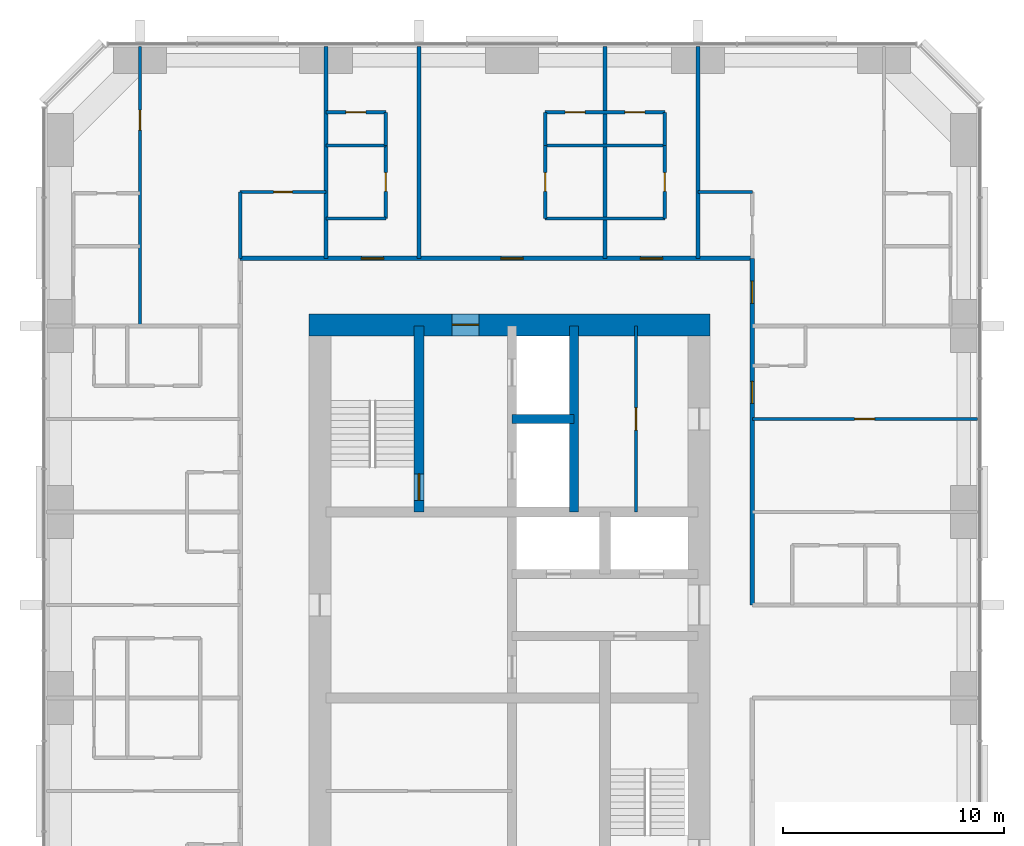
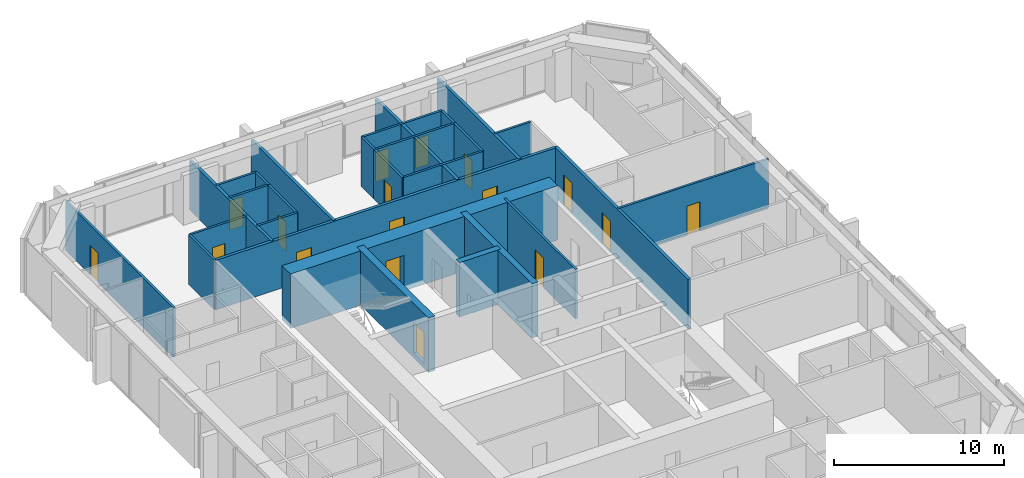
# One storey, part 10 of 12: 28 walls, 17 doors, 17 openings.
"""IFC4 building model written with IfcOpenShell, lengths in metres."""

from ifc_helpers import new_model, si_unit, direction, frame, frame_2d, origin, place, context, subcontext, project, spatial, rectangle, extrude, material, layer, layer_set, type_object, element, fill, save


model = new_model("IFC4")

# Units and contexts
model_context = context("Model", 3, precision=1e-05, world=origin(), true_north=direction((0.0, 1.0)))
body_context = subcontext(model_context, "Body", "Model", "MODEL_VIEW")
ifc_project = project(units=[si_unit("LENGTHUNIT", "METRE"), si_unit("AREAUNIT", "SQUARE_METRE"), si_unit("VOLUMEUNIT", "CUBIC_METRE"), si_unit("PLANEANGLEUNIT", "RADIAN"), si_unit("MASSUNIT", "GRAM", prefix="KILO")], contexts=[model_context])

# Site, building, storey
site_placement = place(None, origin())
site = spatial("IfcSite", under=ifc_project, at=site_placement, CompositionType="ELEMENT")
building_placement = place(site_placement, origin())
building = spatial("IfcBuilding", under=site, at=building_placement, Name="Dunama Terrace Hotel", CompositionType="ELEMENT")
storey_placement = place(building_placement, frame((0.0, 0.0, 229.5)))
storey = spatial("IfcBuildingStorey", under=building, at=storey_placement, Name="L59", CompositionType="ELEMENT", Elevation=229.5)

# Wall
ifc_material_1 = material(Name="Gypsum board partition", Category="masonry")
ifc_layer_1 = layer(ifc_material_1, 0.14990234375)
ifc_layer_set_1 = layer_set([ifc_layer_1], Name="Bathroom partition 150")
wall_type_1 = type_object("IfcWallType", Name="Bathroom partition 150", PredefinedType="PARTITIONING", material=ifc_layer_set_1)
wall_1_placement = place(storey_placement, frame((21.324951171875, 45.050048828125, 0.0), z_axis=(0.0, 0.0, 1.0), x_axis=(0.0, 1.0, 0.0)))
element("IfcWall", 1, at=wall_1_placement, inside=storey, type_object=wall_type_1, Name="Bathroom partition 150 L59", PredefinedType="PARTITIONING", context=body_context, shape_type="SweptSolid", body=[
    extrude(rectangle(XDim=3.0, YDim=0.14990234375, at=frame_2d((1.5, 0.0))), origin(), (0.0, 0.0, 1.0), 3.550048828125),
])

# Wall, opening, door
wall_2_placement = place(storey_placement, frame((27.89990234375, 46.85009765625, 0.0), z_axis=(0.0, 0.0, 1.0), x_axis=(0.0, 1.0, 0.0)))
wall_2 = element("IfcWall", 2, at=wall_2_placement, inside=storey, type_object=wall_type_1, Name="Bathroom partition 150 L59", PredefinedType="PARTITIONING", context=body_context, shape_type="SweptSolid", body=[
    extrude(rectangle(XDim=3.2998046875, YDim=0.14990234375, at=frame_2d((1.64990234375, 0.0))), origin(), (0.0, 0.0, 1.0), 3.550048828125),
])
opening_1_placement = place(wall_2_placement, frame((1.22509765625, 0.0, 0.0)))
opening_1 = element("IfcOpeningElement", 3, at=opening_1_placement, cuts=wall_2, Name="Opening L59-023", PredefinedType="OPENING", context=body_context, shape_type="SweptSolid", body=[
    extrude(rectangle(XDim=0.85009765625, YDim=2.10009765625, at=frame_2d((0.425048828125, 1.050048828125))), frame((0.0, 0.0849609375, 0.0), z_axis=(0.0, -1.0, 0.0), x_axis=(1.0, 0.0, 0.0)), (0.0, 0.0, 1.0), 0.169921875),
])
ifc_material_2 = material(Name="Timber door with steel frame", Category="steel")
door_type_1 = type_object("IfcDoorType", Name="Bathroom door 850", OperationType="SINGLE_SWING_LEFT", PredefinedType="DOOR", material=ifc_material_2)
door_1_placement = place(opening_1_placement, origin())
door_1 = element("IfcDoor", 4, at=door_1_placement, inside=storey, type_object=door_type_1, Name="Door to en-suite bathroom L59-023, type D2", OperationType="SINGLE_SWING_RIGHT", OverallHeight=2.10009765625, OverallWidth=0.85009765625, PredefinedType="DOOR", context=body_context, shape_type="SweptSolid", body=[
    extrude(rectangle(XDim=0.85009765625, YDim=2.10009765625, at=frame_2d((0.425048828125, 1.050048828125))), frame((0.0, 0.02490234375, 0.0), z_axis=(0.0, -1.0, 0.0), x_axis=(1.0, 0.0, 0.0)), (0.0, 0.0, 1.0), 0.050048828125),
])
fill(opening_1, door_1)

wall_3_placement = place(storey_placement, frame((35.10009765625, 46.85009765625, 0.0), z_axis=(0.0, 0.0, 1.0), x_axis=(0.0, 1.0, 0.0)))
wall_3 = element("IfcWall", 5, at=wall_3_placement, inside=storey, type_object=wall_type_1, Name="Bathroom partition 150 L59", PredefinedType="PARTITIONING", context=body_context, shape_type="SweptSolid", body=[
    extrude(rectangle(XDim=3.2998046875, YDim=0.14990234375, at=frame_2d((1.64990234375, 0.0))), origin(), (0.0, 0.0, 1.0), 3.550048828125),
])
opening_2_placement = place(wall_3_placement, frame((1.22509765625, 0.0, 0.0)))
opening_2 = element("IfcOpeningElement", 6, at=opening_2_placement, cuts=wall_3, Name="Opening L59-026", PredefinedType="OPENING", context=body_context, shape_type="SweptSolid", body=[
    extrude(rectangle(XDim=0.85009765625, YDim=2.10009765625, at=frame_2d((0.425048828125, 1.050048828125))), frame((0.0, 0.0849609375, 0.0), z_axis=(0.0, -1.0, 0.0), x_axis=(1.0, 0.0, 0.0)), (0.0, 0.0, 1.0), 0.169921875),
])
door_2_placement = place(opening_2_placement, frame((0.85009765625, 0.0, 0.0), z_axis=(0.0, 0.0, 1.0), x_axis=(-1.0, 0.0, 0.0)))
door_2 = element("IfcDoor", 7, at=door_2_placement, inside=storey, type_object=door_type_1, Name="Door to en-suite bathroom L59-026, type D2", OperationType="SINGLE_SWING_LEFT", OverallHeight=2.10009765625, OverallWidth=0.85009765625, PredefinedType="DOOR", context=body_context, shape_type="SweptSolid", body=[
    extrude(rectangle(XDim=0.85009765625, YDim=2.10009765625, at=frame_2d((0.425048828125, 1.050048828125))), frame((0.0, 0.025146484375, 0.0), z_axis=(0.0, -1.0, 0.0), x_axis=(1.0, 0.0, 0.0)), (0.0, 0.0, 1.0), 0.050048828125),
])
fill(opening_2, door_2)

wall_4_placement = place(storey_placement, frame((40.5, 46.85009765625, 0.0), z_axis=(0.0, 0.0, 1.0), x_axis=(0.0, 1.0, 0.0)))
wall_4 = element("IfcWall", 8, at=wall_4_placement, inside=storey, type_object=wall_type_1, Name="Bathroom partition 150 L59", PredefinedType="PARTITIONING", context=body_context, shape_type="SweptSolid", body=[
    extrude(rectangle(XDim=3.2998046875, YDim=0.14990234375, at=frame_2d((1.64990234375, 0.0))), origin(), (0.0, 0.0, 1.0), 3.550048828125),
])
opening_3_placement = place(wall_4_placement, frame((1.22509765625, 0.0, 0.0)))
opening_3 = element("IfcOpeningElement", 9, at=opening_3_placement, cuts=wall_4, Name="Opening L59-029", PredefinedType="OPENING", context=body_context, shape_type="SweptSolid", body=[
    extrude(rectangle(XDim=0.85009765625, YDim=2.10009765625, at=frame_2d((0.425048828125, 1.050048828125))), frame((0.0, 0.0849609375, 0.0), z_axis=(0.0, -1.0, 0.0), x_axis=(1.0, 0.0, 0.0)), (0.0, 0.0, 1.0), 0.169921875),
])
door_3_placement = place(opening_3_placement, origin())
door_3 = element("IfcDoor", 10, at=door_3_placement, inside=storey, type_object=door_type_1, Name="Door to en-suite bathroom L59-029, type D2", OperationType="SINGLE_SWING_RIGHT", OverallHeight=2.10009765625, OverallWidth=0.85009765625, PredefinedType="DOOR", context=body_context, shape_type="SweptSolid", body=[
    extrude(rectangle(XDim=0.85009765625, YDim=2.10009765625, at=frame_2d((0.425048828125, 1.050048828125))), frame((0.0, 0.02490234375, 0.0), z_axis=(0.0, -1.0, 0.0), x_axis=(1.0, 0.0, 0.0)), (0.0, 0.0, 1.0), 0.050048828125),
])
fill(opening_3, door_3)

# Walls
wall_5_placement = place(storey_placement, frame((25.199951171875, 46.85009765625, 0.0), z_axis=(0.0, 0.0, 1.0), x_axis=(1.0, 0.0, 0.0)))
element("IfcWall", 11, at=wall_5_placement, inside=storey, type_object=wall_type_1, Name="Bathroom partition 150 L59", PredefinedType="PARTITIONING", context=body_context, shape_type="SweptSolid", body=[
    extrude(rectangle(XDim=2.699951171875, YDim=0.14990234375, at=frame_2d((1.35009765625, 0.0))), origin(), (0.0, 0.0, 1.0), 3.550048828125),
])
wall_6_placement = place(storey_placement, frame((35.10009765625, 46.85009765625, 0.0), z_axis=(0.0, 0.0, 1.0), x_axis=(1.0, 0.0, 0.0)))
element("IfcWall", 12, at=wall_6_placement, inside=storey, type_object=wall_type_1, Name="Bathroom partition 150 L59", PredefinedType="PARTITIONING", context=body_context, shape_type="SweptSolid", body=[
    extrude(rectangle(XDim=5.39990234375, YDim=0.14990234375, at=frame_2d((2.699951171875, 0.0))), origin(), (0.0, 0.0, 1.0), 3.550048828125),
])

# Wall, opening, door
wall_7_placement = place(storey_placement, frame((21.324951171875, 48.050048828125, 0.0), z_axis=(0.0, 0.0, 1.0), x_axis=(1.0, 0.0, 0.0)))
wall_7 = element("IfcWall", 13, at=wall_7_placement, inside=storey, type_object=wall_type_1, Name="Bathroom partition 150 L59", PredefinedType="PARTITIONING", context=body_context, shape_type="SweptSolid", body=[
    extrude(rectangle(XDim=3.875, YDim=0.14990234375, at=frame_2d((1.9375, 0.0))), origin(), (0.0, 0.0, 1.0), 3.550048828125),
])
opening_4_placement = place(wall_7_placement, frame((1.511962890625, 0.0, 0.0)))
opening_4 = element("IfcOpeningElement", 14, at=opening_4_placement, cuts=wall_7, Name="Opening L59-062", PredefinedType="OPENING", context=body_context, shape_type="SweptSolid", body=[
    extrude(rectangle(XDim=0.85009765625, YDim=2.10009765625, at=frame_2d((0.425048828125, 1.050048828125))), frame((0.0, 0.0849609375, 0.0), z_axis=(0.0, -1.0, 0.0), x_axis=(1.0, 0.0, 0.0)), (0.0, 0.0, 1.0), 0.169921875),
])
door_4_placement = place(opening_4_placement, frame((0.85009765625, 0.0, 0.0), z_axis=(0.0, 0.0, 1.0), x_axis=(-1.0, 0.0, 0.0)))
door_4 = element("IfcDoor", 15, at=door_4_placement, inside=storey, type_object=door_type_1, Name="Door to powder room L59-062, type D2", OperationType="SINGLE_SWING_LEFT", OverallHeight=2.10009765625, OverallWidth=0.85009765625, PredefinedType="DOOR", context=body_context, shape_type="SweptSolid", body=[
    extrude(rectangle(XDim=0.85009765625, YDim=2.10009765625, at=frame_2d((0.425048828125, 1.050048828125))), frame((0.0, 0.025146484375, 0.0), z_axis=(0.0, -1.0, 0.0), x_axis=(1.0, 0.0, 0.0)), (0.0, 0.0, 1.0), 0.050048828125),
])
fill(opening_4, door_4)

# Walls
wall_8_placement = place(storey_placement, frame((42.0, 48.050048828125, 0.0), z_axis=(0.0, 0.0, 1.0), x_axis=(1.0, 0.0, 0.0)))
element("IfcWall", 16, at=wall_8_placement, inside=storey, type_object=wall_type_1, Name="Bathroom partition 150 L59", PredefinedType="PARTITIONING", context=body_context, shape_type="SweptSolid", body=[
    extrude(rectangle(XDim=2.449951171875, YDim=0.14990234375, at=frame_2d((1.22509765625, 0.0))), origin(), (0.0, 0.0, 1.0), 3.550048828125),
])
ifc_material_3 = material(Name="Concrete C50/60", Category="concrete")
ifc_layer_2 = layer(ifc_material_3, 0.39990234375)
ifc_layer_set_2 = layer_set([ifc_layer_2], Name="Core inner wall 400")
wall_type_2 = type_object("IfcWallType", Name="Core inner wall 400", PredefinedType="SHEAR", material=ifc_layer_set_2)
wall_9_placement = place(storey_placement, frame((36.39990234375, 33.60009765625, -0.35009765625), z_axis=(0.0, 0.0, 1.0), x_axis=(0.0, 1.0, 0.0)))
element("IfcWall", 17, at=wall_9_placement, inside=storey, type_object=wall_type_2, Name="Core inner wall 400 L59", PredefinedType="SHEAR", context=body_context, shape_type="SweptSolid", body=[
    extrude(rectangle(XDim=8.39990234375, YDim=0.39990234375, at=frame_2d((4.199951171875, 0.0))), origin(), (0.0, 0.0, 1.0), 3.900146484375),
])
wall_10_placement = place(storey_placement, frame((33.60009765625, 37.800048828125, -0.35009765625), z_axis=(0.0, 0.0, 1.0), x_axis=(1.0, 0.0, 0.0)))
element("IfcWall", 18, at=wall_10_placement, inside=storey, type_object=wall_type_2, Name="Core inner wall 400 L59", PredefinedType="SHEAR", context=body_context, shape_type="SweptSolid", body=[
    extrude(rectangle(XDim=2.7998046875, YDim=0.39990234375, at=frame_2d((1.39990234375, 0.0))), origin(), (0.0, 0.0, 1.0), 3.900146484375),
])

# Wall, opening, door
ifc_material_4 = material(Name="Concrete C50/60", Category="concrete")
ifc_layer_3 = layer(ifc_material_4, 0.449951171875)
ifc_layer_set_3 = layer_set([ifc_layer_3], Name="Core inner wall 450")
wall_type_3 = type_object("IfcWallType", Name="Core inner wall 450", PredefinedType="SHEAR", material=ifc_layer_set_3)
wall_11_placement = place(storey_placement, frame((29.39990234375, 33.60009765625, -0.35009765625), z_axis=(0.0, 0.0, 1.0), x_axis=(0.0, 1.0, 0.0)))
wall_11 = element("IfcWall", 19, at=wall_11_placement, inside=storey, type_object=wall_type_3, Name="Core inner wall 450 L59", PredefinedType="SHEAR", context=body_context, shape_type="SweptSolid", body=[
    extrude(rectangle(XDim=8.39990234375, YDim=0.449951171875, at=frame_2d((4.199951171875, 0.0))), origin(), (0.0, 0.0, 1.0), 3.900146484375),
])
opening_5_placement = place(wall_11_placement, frame((0.52490234375, 0.0, 0.35009765625)))
opening_5 = element("IfcOpeningElement", 20, at=opening_5_placement, cuts=wall_11, Name="Opening L59-001", PredefinedType="OPENING", context=body_context, shape_type="SweptSolid", body=[
    extrude(rectangle(XDim=1.199951171875, YDim=2.199951171875, at=frame_2d((0.60009765625, 1.10009765625))), frame((0.0, 0.23486328125, 0.0), z_axis=(0.0, -1.0, 0.0), x_axis=(1.0, 0.0, 0.0)), (0.0, 0.0, 1.0), 0.469970703125),
])
ifc_material_5 = material(Name="Timber door with steel frame", Category="steel")
door_type_2 = type_object("IfcDoorType", Name="Stair door 1200", OperationType="SINGLE_SWING_LEFT", PredefinedType="DOOR", material=ifc_material_5)
door_5_placement = place(opening_5_placement, origin())
door_5 = element("IfcDoor", 21, at=door_5_placement, inside=storey, type_object=door_type_2, Name="Stair door ST1 L59-001, type D5", OperationType="SINGLE_SWING_LEFT", OverallHeight=2.199951171875, OverallWidth=1.199951171875, PredefinedType="DOOR", context=body_context, shape_type="SweptSolid", body=[
    extrude(rectangle(XDim=1.199951171875, YDim=2.199951171875, at=frame_2d((0.60009765625, 1.10009765625))), frame((0.0, 0.02490234375, 0.0), z_axis=(0.0, -1.0, 0.0), x_axis=(1.0, 0.0, 0.0)), (0.0, 0.0, 1.0), 0.050048828125),
])
fill(opening_5, door_5)

ifc_material_6 = material(Name="Concrete C60/75", Category="concrete")
ifc_layer_4 = layer(ifc_material_6, 1.0)
ifc_layer_set_4 = layer_set([ifc_layer_4], Name="Core wall 1000")
wall_type_4 = type_object("IfcWallType", Name="Core wall 1000", PredefinedType="SHEAR", material=ifc_layer_set_4)
wall_12_placement = place(storey_placement, frame((42.550048828125, 42.050048828125, -0.35009765625), z_axis=(0.0, 0.0, 1.0), x_axis=(-1.0, 0.0, 0.0)))
wall_12 = element("IfcWall", 22, at=wall_12_placement, inside=storey, type_object=wall_type_4, Name="Core wall north L59", PredefinedType="SHEAR", context=body_context, shape_type="SweptSolid", body=[
    extrude(rectangle(XDim=18.125, YDim=1.0, at=frame_2d((9.0625, 0.0))), origin(), (0.0, 0.0, 1.0), 3.900146484375),
])
opening_6_placement = place(wall_12_placement, frame((10.449951171875, 0.0, 0.35009765625)))
opening_6 = element("IfcOpeningElement", 23, at=opening_6_placement, cuts=wall_12, Name="Opening L59-070", PredefinedType="OPENING", context=body_context, shape_type="SweptSolid", body=[
    extrude(rectangle(XDim=1.199951171875, YDim=2.199951171875, at=frame_2d((0.60009765625, 1.10009765625))), frame((0.0, 0.510009765625, 0.0), z_axis=(0.0, -1.0, 0.0), x_axis=(1.0, 0.0, 0.0)), (0.0, 0.0, 1.0), 1.02001953125),
])
ifc_material_7 = material(Name="Timber door with steel frame", Category="steel")
door_type_3 = type_object("IfcDoorType", Name="Firefighting lobby door 1200", OperationType="SINGLE_SWING_LEFT", PredefinedType="DOOR", material=ifc_material_7)
door_6_placement = place(opening_6_placement, origin())
door_6 = element("IfcDoor", 24, at=door_6_placement, inside=storey, type_object=door_type_3, Name="Door to firefighting lobby L59-070, type D4", OperationType="SINGLE_SWING_RIGHT", OverallHeight=2.199951171875, OverallWidth=1.199951171875, PredefinedType="DOOR", context=body_context, shape_type="SweptSolid", body=[
    extrude(rectangle(XDim=1.199951171875, YDim=2.199951171875, at=frame_2d((0.60009765625, 1.10009765625))), frame((0.0, 0.02490234375, 0.0), z_axis=(0.0, -1.0, 0.0), x_axis=(1.0, 0.0, 0.0)), (0.0, 0.0, 1.0), 0.050048828125),
])
fill(opening_6, door_6)

# Wall, openings, doors
ifc_material_8 = material(Name="Concrete blockwork", Category="masonry")
ifc_layer_5 = layer(ifc_material_8, 0.199951171875)
ifc_layer_set_5 = layer_set([ifc_layer_5], Name="Corridor partition 200")
wall_type_5 = type_object("IfcWallType", Name="Corridor partition 200", PredefinedType="PARTITIONING", material=ifc_layer_set_5)
wall_13_placement = place(storey_placement, frame((21.324951171875, 45.050048828125, 0.0), z_axis=(0.0, 0.0, 1.0), x_axis=(1.0, 0.0, 0.0)))
wall_13 = element("IfcWall", 25, at=wall_13_placement, inside=storey, type_object=wall_type_5, Name="Corridor partition 200 L59", PredefinedType="PARTITIONING", context=body_context, shape_type="SweptSolid", body=[
    extrude(rectangle(XDim=23.125, YDim=0.199951171875, at=frame_2d((11.5625, 0.0))), origin(), (0.0, 0.0, 1.0), 3.550048828125),
])
opening_7_placement = place(wall_13_placement, frame((5.47509765625, 0.0, 0.0)))
opening_7 = element("IfcOpeningElement", 26, at=opening_7_placement, cuts=wall_13, Name="Opening L59-022", PredefinedType="OPENING", context=body_context, shape_type="SweptSolid", body=[
    extrude(rectangle(XDim=1.0, YDim=2.199951171875, at=frame_2d((0.5, 1.10009765625))), frame((0.0, 0.10986328125, 0.0), z_axis=(0.0, -1.0, 0.0), x_axis=(1.0, 0.0, 0.0)), (0.0, 0.0, 1.0), 0.219970703125),
])
opening_8_placement = place(wall_13_placement, frame((11.77490234375, 0.0, 0.0)))
opening_8 = element("IfcOpeningElement", 27, at=opening_8_placement, cuts=wall_13, Name="Opening L59-025", PredefinedType="OPENING", context=body_context, shape_type="SweptSolid", body=[
    extrude(rectangle(XDim=1.0, YDim=2.199951171875, at=frame_2d((0.5, 1.10009765625))), frame((0.0, 0.10986328125, 0.0), z_axis=(0.0, -1.0, 0.0), x_axis=(1.0, 0.0, 0.0)), (0.0, 0.0, 1.0), 0.219970703125),
])
opening_9_placement = place(wall_13_placement, frame((18.074951171875, 0.0, 0.0)))
opening_9 = element("IfcOpeningElement", 28, at=opening_9_placement, cuts=wall_13, Name="Opening L59-028", PredefinedType="OPENING", context=body_context, shape_type="SweptSolid", body=[
    extrude(rectangle(XDim=1.0, YDim=2.199951171875, at=frame_2d((0.5, 1.10009765625))), frame((0.0, 0.10986328125, 0.0), z_axis=(0.0, -1.0, 0.0), x_axis=(1.0, 0.0, 0.0)), (0.0, 0.0, 1.0), 0.219970703125),
])
ifc_material_9 = material(Name="Timber door with steel frame", Category="steel")
door_type_4 = type_object("IfcDoorType", Name="Guest room door 1000", OperationType="SINGLE_SWING_LEFT", PredefinedType="DOOR", material=ifc_material_9)
door_7_placement = place(opening_7_placement, origin())
door_7 = element("IfcDoor", 29, at=door_7_placement, inside=storey, type_object=door_type_4, Name="Door to studio suite L59-022, type D1", OperationType="SINGLE_SWING_LEFT", OverallHeight=2.199951171875, OverallWidth=1.0, PredefinedType="DOOR", context=body_context, shape_type="SweptSolid", body=[
    extrude(rectangle(XDim=1.0, YDim=2.199951171875, at=frame_2d((0.5, 1.10009765625))), frame((0.0, 0.02490234375, 0.0), z_axis=(0.0, -1.0, 0.0), x_axis=(1.0, 0.0, 0.0)), (0.0, 0.0, 1.0), 0.050048828125),
])
fill(opening_7, door_7)
door_8_placement = place(opening_8_placement, origin())
door_8 = element("IfcDoor", 30, at=door_8_placement, inside=storey, type_object=door_type_4, Name="Door to junior suite L59-025, type D1", OperationType="SINGLE_SWING_RIGHT", OverallHeight=2.199951171875, OverallWidth=1.0, PredefinedType="DOOR", context=body_context, shape_type="SweptSolid", body=[
    extrude(rectangle(XDim=1.0, YDim=2.199951171875, at=frame_2d((0.5, 1.10009765625))), frame((0.0, 0.02490234375, 0.0), z_axis=(0.0, -1.0, 0.0), x_axis=(1.0, 0.0, 0.0)), (0.0, 0.0, 1.0), 0.050048828125),
])
fill(opening_8, door_8)
door_9_placement = place(opening_9_placement, origin())
door_9 = element("IfcDoor", 31, at=door_9_placement, inside=storey, type_object=door_type_4, Name="Door to studio suite L59-028, type D1", OperationType="SINGLE_SWING_LEFT", OverallHeight=2.199951171875, OverallWidth=1.0, PredefinedType="DOOR", context=body_context, shape_type="SweptSolid", body=[
    extrude(rectangle(XDim=1.0, YDim=2.199951171875, at=frame_2d((0.5, 1.10009765625))), frame((0.0, 0.02490234375, 0.0), z_axis=(0.0, -1.0, 0.0), x_axis=(1.0, 0.0, 0.0)), (0.0, 0.0, 1.0), 0.050048828125),
])
fill(opening_9, door_9)

wall_14_placement = place(storey_placement, frame((44.449951171875, 45.050048828125, 0.0), z_axis=(0.0, 0.0, 1.0), x_axis=(0.0, -1.0, 0.0)))
wall_14 = element("IfcWall", 32, at=wall_14_placement, inside=storey, type_object=wall_type_5, Name="Corridor partition 200 L59", PredefinedType="PARTITIONING", context=body_context, shape_type="SweptSolid", body=[
    extrude(rectangle(XDim=15.650146484375, YDim=0.199951171875, at=frame_2d((7.8251953125, 0.0))), origin(), (0.0, 0.0, 1.0), 3.550048828125),
])
opening_10_placement = place(wall_14_placement, frame((5.550048828125, 0.0, 0.0)))
opening_10 = element("IfcOpeningElement", 33, at=opening_10_placement, cuts=wall_14, Name="Opening L59-016", PredefinedType="OPENING", context=body_context, shape_type="SweptSolid", body=[
    extrude(rectangle(XDim=1.0, YDim=2.199951171875, at=frame_2d((0.5, 1.10009765625))), frame((0.0, 0.10986328125, 0.0), z_axis=(0.0, -1.0, 0.0), x_axis=(1.0, 0.0, 0.0)), (0.0, 0.0, 1.0), 0.219970703125),
])
opening_11_placement = place(wall_14_placement, frame((1.02490234375, 0.0, 0.0)))
opening_11 = element("IfcOpeningElement", 34, at=opening_11_placement, cuts=wall_14, Name="Opening L59-056", PredefinedType="OPENING", context=body_context, shape_type="SweptSolid", body=[
    extrude(rectangle(XDim=1.0, YDim=2.199951171875, at=frame_2d((0.5, 1.10009765625))), frame((0.0, 0.10986328125, 0.0), z_axis=(0.0, -1.0, 0.0), x_axis=(1.0, 0.0, 0.0)), (0.0, 0.0, 1.0), 0.219970703125),
])
door_10_placement = place(opening_10_placement, origin())
door_10 = element("IfcDoor", 35, at=door_10_placement, inside=storey, type_object=door_type_4, Name="Door to ambassador suite living room L59-016, type D1", OperationType="SINGLE_SWING_LEFT", OverallHeight=2.199951171875, OverallWidth=1.0, PredefinedType="DOOR", context=body_context, shape_type="SweptSolid", body=[
    extrude(rectangle(XDim=1.0, YDim=2.199951171875, at=frame_2d((0.5, 1.10009765625))), frame((0.0, 0.02490234375, 0.0), z_axis=(0.0, -1.0, 0.0), x_axis=(1.0, 0.0, 0.0)), (0.0, 0.0, 1.0), 0.050048828125),
])
fill(opening_10, door_10)
door_11_placement = place(opening_11_placement, origin())
door_11 = element("IfcDoor", 36, at=door_11_placement, inside=storey, type_object=door_type_4, Name="Door to grand corner suite living room L59-056, type D1", OperationType="SINGLE_SWING_LEFT", OverallHeight=2.199951171875, OverallWidth=1.0, PredefinedType="DOOR", context=body_context, shape_type="SweptSolid", body=[
    extrude(rectangle(XDim=1.0, YDim=2.199951171875, at=frame_2d((0.5, 1.10009765625))), frame((0.0, 0.02490234375, 0.0), z_axis=(0.0, -1.0, 0.0), x_axis=(1.0, 0.0, 0.0)), (0.0, 0.0, 1.0), 0.050048828125),
])
fill(opening_11, door_11)

# Walls
ifc_material_10 = material(Name="Concrete blockwork", Category="masonry")
ifc_layer_6 = layer(ifc_material_10, 0.199951171875)
ifc_layer_set_6 = layer_set([ifc_layer_6], Name="Party wall 200")
wall_type_6 = type_object("IfcWallType", Name="Party wall 200", PredefinedType="PARTITIONING", material=ifc_layer_set_6)
for number, where, z_axis, x_axis, name in (
    (37, (25.199951171875, 45.050048828125, 0.0), (0.0, 0.0, 1.0), (0.0, 1.0, 0.0), "Party wall 200 L59"),
    (38, (29.39990234375, 45.050048828125, 0.0), (0.0, 0.0, 1.0), (0.0, 1.0, 0.0), "Party wall 200 L59"),
    (39, (37.800048828125, 45.050048828125, 0.0), (0.0, 0.0, 1.0), (0.0, 1.0, 0.0), "Party wall 200 L59"),
    (40, (42.0, 45.050048828125, 0.0), (0.0, 0.0, 1.0), (0.0, 1.0, 0.0), "Party wall 200 L59"),
):
    element("IfcWall", number, at=place(storey_placement, frame(where, z_axis=z_axis, x_axis=x_axis)), inside=storey, type_object=wall_type_6, Name=name, PredefinedType="PARTITIONING", context=body_context, shape_type="SweptSolid", body=[
        extrude(rectangle(XDim=9.56787109375, YDim=0.199951171875, at=frame_2d((4.783935546875, 0.0))), origin(), (0.0, 0.0, 1.0), 3.550048828125),
    ])

# Wall, opening, door
ifc_material_11 = material(Name="Gypsum board partition", Category="masonry")
ifc_layer_7 = layer(ifc_material_11, 0.14990234375)
ifc_layer_set_7 = layer_set([ifc_layer_7], Name="Room partition 150")
wall_type_7 = type_object("IfcWallType", Name="Room partition 150", PredefinedType="PARTITIONING", material=ifc_layer_set_7)
wall_15_placement = place(storey_placement, frame((16.800048828125, 42.0, 0.0), z_axis=(0.0, 0.0, 1.0), x_axis=(0.0, 1.0, 0.0)))
wall_15 = element("IfcWall", 41, at=wall_15_placement, inside=storey, type_object=wall_type_7, Name="Room partition 150 L59", PredefinedType="PARTITIONING", context=body_context, shape_type="SweptSolid", body=[
    extrude(rectangle(XDim=12.617919921875, YDim=0.14990234375, at=frame_2d((6.30908203125, 0.0))), origin(), (0.0, 0.0, 1.0), 3.550048828125),
])
opening_12_placement = place(wall_15_placement, frame((8.85009765625, 0.0, 0.0)))
opening_12 = element("IfcOpeningElement", 42, at=opening_12_placement, cuts=wall_15, Name="Opening L59-063", PredefinedType="OPENING", context=body_context, shape_type="SweptSolid", body=[
    extrude(rectangle(XDim=0.89990234375, YDim=2.10009765625, at=frame_2d((0.449951171875, 1.050048828125))), frame((0.0, 0.0849609375, 0.0), z_axis=(0.0, -1.0, 0.0), x_axis=(1.0, 0.0, 0.0)), (0.0, 0.0, 1.0), 0.169921875),
])
ifc_material_12 = material(Name="Timber door with steel frame", Category="steel")
door_type_5 = type_object("IfcDoorType", Name="Suite internal door 900", OperationType="SINGLE_SWING_LEFT", PredefinedType="DOOR", material=ifc_material_12)
door_12_placement = place(opening_12_placement, origin())
door_12 = element("IfcDoor", 43, at=door_12_placement, inside=storey, type_object=door_type_5, Name="Door to grand corner suite bedroom L59-063, type D16", OperationType="SINGLE_SWING_RIGHT", OverallHeight=2.10009765625, OverallWidth=0.89990234375, PredefinedType="DOOR", context=body_context, shape_type="SweptSolid", body=[
    extrude(rectangle(XDim=0.89990234375, YDim=2.10009765625, at=frame_2d((0.449951171875, 1.050048828125))), frame((0.0, 0.02490234375, 0.0), z_axis=(0.0, -1.0, 0.0), x_axis=(1.0, 0.0, 0.0)), (0.0, 0.0, 1.0), 0.050048828125),
])
fill(opening_12, door_12)

# Walls
for number, where, z_axis, x_axis, name in (
    (44, (27.89990234375, 50.14990234375, 0.0), (0.0, 0.0, 1.0), (0.0, 1.0, 0.0), "Room partition 150 L59"),
    (45, (35.10009765625, 50.14990234375, 0.0), (0.0, 0.0, 1.0), (0.0, 1.0, 0.0), "Room partition 150 L59"),
):
    element("IfcWall", number, at=place(storey_placement, frame(where, z_axis=z_axis, x_axis=x_axis)), inside=storey, type_object=wall_type_7, Name=name, PredefinedType="PARTITIONING", context=body_context, shape_type="SweptSolid", body=[
        extrude(rectangle(XDim=1.5, YDim=0.14990234375, at=frame_2d((0.75, 0.0))), origin(), (0.0, 0.0, 1.0), 3.550048828125),
    ])

# Wall, opening, door
wall_16_placement = place(storey_placement, frame((39.199951171875, 33.60009765625, 0.0), z_axis=(0.0, 0.0, 1.0), x_axis=(0.0, 1.0, 0.0)))
wall_16 = element("IfcWall", 46, at=wall_16_placement, inside=storey, type_object=wall_type_7, Name="Room partition 150 L59", PredefinedType="PARTITIONING", context=body_context, shape_type="SweptSolid", body=[
    extrude(rectangle(XDim=8.39990234375, YDim=0.14990234375, at=frame_2d((4.199951171875, 0.0))), origin(), (0.0, 0.0, 1.0), 3.550048828125),
])
opening_13_placement = place(wall_16_placement, frame((3.699951171875, 0.0, 0.0)))
opening_13 = element("IfcOpeningElement", 47, at=opening_13_placement, cuts=wall_16, Name="Opening L59-072", PredefinedType="OPENING", context=body_context, shape_type="SweptSolid", body=[
    extrude(rectangle(XDim=1.0, YDim=2.10009765625, at=frame_2d((0.5, 1.050048828125))), frame((0.0, 0.0849609375, 0.0), z_axis=(0.0, -1.0, 0.0), x_axis=(1.0, 0.0, 0.0)), (0.0, 0.0, 1.0), 0.169921875),
])
ifc_material_13 = material(Name="Timber door with steel frame", Category="steel")
door_type_6 = type_object("IfcDoorType", Name="Service door 1000", OperationType="SINGLE_SWING_LEFT", PredefinedType="DOOR", material=ifc_material_13)
door_13_placement = place(opening_13_placement, frame((1.0, 0.0, 0.0), z_axis=(0.0, 0.0, 1.0), x_axis=(-1.0, 0.0, 0.0)))
door_13 = element("IfcDoor", 48, at=door_13_placement, inside=storey, type_object=door_type_6, Name="Door to cleaners store L59-072, type D7", OperationType="SINGLE_SWING_RIGHT", OverallHeight=2.10009765625, OverallWidth=1.0, PredefinedType="DOOR", context=body_context, shape_type="SweptSolid", body=[
    extrude(rectangle(XDim=1.0, YDim=2.10009765625, at=frame_2d((0.5, 1.050048828125))), frame((0.0, 0.025146484375, 0.0), z_axis=(0.0, -1.0, 0.0), x_axis=(1.0, 0.0, 0.0)), (0.0, 0.0, 1.0), 0.050048828125),
])
fill(opening_13, door_13)

# Wall
wall_17_placement = place(storey_placement, frame((40.5, 50.14990234375, 0.0), z_axis=(0.0, 0.0, 1.0), x_axis=(0.0, 1.0, 0.0)))
element("IfcWall", 49, at=wall_17_placement, inside=storey, type_object=wall_type_7, Name="Room partition 150 L59", PredefinedType="PARTITIONING", context=body_context, shape_type="SweptSolid", body=[
    extrude(rectangle(XDim=1.5, YDim=0.14990234375, at=frame_2d((0.75, 0.0))), origin(), (0.0, 0.0, 1.0), 3.550048828125),
])

# Wall, opening, door
wall_18_placement = place(storey_placement, frame((44.449951171875, 37.800048828125, 0.0), z_axis=(0.0, 0.0, 1.0), x_axis=(1.0, 0.0, 0.0)))
wall_18 = element("IfcWall", 50, at=wall_18_placement, inside=storey, type_object=wall_type_7, Name="Room partition 150 L59", PredefinedType="PARTITIONING", context=body_context, shape_type="SweptSolid", body=[
    extrude(rectangle(XDim=10.16796875, YDim=0.14990234375, at=frame_2d((5.083984375, 0.0))), origin(), (0.0, 0.0, 1.0), 3.550048828125),
])
opening_14_placement = place(wall_18_placement, frame((4.625, 0.0, 0.0)))
opening_14 = element("IfcOpeningElement", 51, at=opening_14_placement, cuts=wall_18, Name="Opening L59-018", PredefinedType="OPENING", context=body_context, shape_type="SweptSolid", body=[
    extrude(rectangle(XDim=0.89990234375, YDim=2.10009765625, at=frame_2d((0.449951171875, 1.050048828125))), frame((0.0, 0.0849609375, 0.0), z_axis=(0.0, -1.0, 0.0), x_axis=(1.0, 0.0, 0.0)), (0.0, 0.0, 1.0), 0.169921875),
])
door_14_placement = place(opening_14_placement, origin())
door_14 = element("IfcDoor", 52, at=door_14_placement, inside=storey, type_object=door_type_5, Name="Door to ambassador suite study L59-018, type D16", OperationType="SINGLE_SWING_LEFT", OverallHeight=2.10009765625, OverallWidth=0.89990234375, PredefinedType="DOOR", context=body_context, shape_type="SweptSolid", body=[
    extrude(rectangle(XDim=0.89990234375, YDim=2.10009765625, at=frame_2d((0.449951171875, 1.050048828125))), frame((0.0, 0.02490234375, 0.0), z_axis=(0.0, -1.0, 0.0), x_axis=(1.0, 0.0, 0.0)), (0.0, 0.0, 1.0), 0.050048828125),
])
fill(opening_14, door_14)

# Walls
wall_19_placement = place(storey_placement, frame((25.199951171875, 50.14990234375, 0.0), z_axis=(0.0, 0.0, 1.0), x_axis=(1.0, 0.0, 0.0)))
element("IfcWall", 53, at=wall_19_placement, inside=storey, type_object=wall_type_7, Name="Room partition 150 L59", PredefinedType="PARTITIONING", context=body_context, shape_type="SweptSolid", body=[
    extrude(rectangle(XDim=2.699951171875, YDim=0.14990234375, at=frame_2d((1.35009765625, 0.0))), origin(), (0.0, 0.0, 1.0), 3.550048828125),
])
wall_20_placement = place(storey_placement, frame((35.10009765625, 50.14990234375, 0.0), z_axis=(0.0, 0.0, 1.0), x_axis=(1.0, 0.0, 0.0)))
element("IfcWall", 54, at=wall_20_placement, inside=storey, type_object=wall_type_7, Name="Room partition 150 L59", PredefinedType="PARTITIONING", context=body_context, shape_type="SweptSolid", body=[
    extrude(rectangle(XDim=5.39990234375, YDim=0.14990234375, at=frame_2d((2.699951171875, 0.0))), origin(), (0.0, 0.0, 1.0), 3.550048828125),
])

# Wall, opening, door
wall_21_placement = place(storey_placement, frame((25.199951171875, 51.64990234375, 0.0), z_axis=(0.0, 0.0, 1.0), x_axis=(1.0, 0.0, 0.0)))
wall_21 = element("IfcWall", 55, at=wall_21_placement, inside=storey, type_object=wall_type_7, Name="Room partition 150 L59", PredefinedType="PARTITIONING", context=body_context, shape_type="SweptSolid", body=[
    extrude(rectangle(XDim=2.699951171875, YDim=0.14990234375, at=frame_2d((1.35009765625, 0.0))), origin(), (0.0, 0.0, 1.0), 3.550048828125),
])
opening_15_placement = place(wall_21_placement, frame((0.89990234375, 0.0, 0.0)))
opening_15 = element("IfcOpeningElement", 56, at=opening_15_placement, cuts=wall_21, Name="Opening L59-024", PredefinedType="OPENING", context=body_context, shape_type="SweptSolid", body=[
    extrude(rectangle(XDim=0.89990234375, YDim=2.10009765625, at=frame_2d((0.449951171875, 1.050048828125))), frame((0.0, 0.0849609375, 0.0), z_axis=(0.0, -1.0, 0.0), x_axis=(1.0, 0.0, 0.0)), (0.0, 0.0, 1.0), 0.169921875),
])
door_15_placement = place(opening_15_placement, frame((0.89990234375, 0.0, 0.0), z_axis=(0.0, 0.0, 1.0), x_axis=(-1.0, 0.0, 0.0)))
door_15 = element("IfcDoor", 57, at=door_15_placement, inside=storey, type_object=door_type_5, Name="Door to walk-in wardrobe L59-024, type D16", OperationType="SINGLE_SWING_RIGHT", OverallHeight=2.10009765625, OverallWidth=0.89990234375, PredefinedType="DOOR", context=body_context, shape_type="SweptSolid", body=[
    extrude(rectangle(XDim=0.89990234375, YDim=2.10009765625, at=frame_2d((0.449951171875, 1.050048828125))), frame((0.0, 0.025146484375, 0.0), z_axis=(0.0, -1.0, 0.0), x_axis=(1.0, 0.0, 0.0)), (0.0, 0.0, 1.0), 0.050048828125),
])
fill(opening_15, door_15)

# Wall, openings, doors
wall_22_placement = place(storey_placement, frame((35.10009765625, 51.64990234375, 0.0), z_axis=(0.0, 0.0, 1.0), x_axis=(1.0, 0.0, 0.0)))
wall_22 = element("IfcWall", 58, at=wall_22_placement, inside=storey, type_object=wall_type_7, Name="Room partition 150 L59", PredefinedType="PARTITIONING", context=body_context, shape_type="SweptSolid", body=[
    extrude(rectangle(XDim=5.39990234375, YDim=0.14990234375, at=frame_2d((2.699951171875, 0.0))), origin(), (0.0, 0.0, 1.0), 3.550048828125),
])
opening_16_placement = place(wall_22_placement, frame((0.89990234375, 0.0, 0.0)))
opening_16 = element("IfcOpeningElement", 59, at=opening_16_placement, cuts=wall_22, Name="Opening L59-027", PredefinedType="OPENING", context=body_context, shape_type="SweptSolid", body=[
    extrude(rectangle(XDim=0.89990234375, YDim=2.10009765625, at=frame_2d((0.449951171875, 1.050048828125))), frame((0.0, 0.0849609375, 0.0), z_axis=(0.0, -1.0, 0.0), x_axis=(1.0, 0.0, 0.0)), (0.0, 0.0, 1.0), 0.169921875),
])
opening_17_placement = place(wall_22_placement, frame((3.60009765625, 0.0, 0.0)))
opening_17 = element("IfcOpeningElement", 60, at=opening_17_placement, cuts=wall_22, Name="Opening L59-030", PredefinedType="OPENING", context=body_context, shape_type="SweptSolid", body=[
    extrude(rectangle(XDim=0.89990234375, YDim=2.10009765625, at=frame_2d((0.449951171875, 1.050048828125))), frame((0.0, 0.0849609375, 0.0), z_axis=(0.0, -1.0, 0.0), x_axis=(1.0, 0.0, 0.0)), (0.0, 0.0, 1.0), 0.169921875),
])
door_16_placement = place(opening_16_placement, frame((0.89990234375, 0.0, 0.0), z_axis=(0.0, 0.0, 1.0), x_axis=(-1.0, 0.0, 0.0)))
door_16 = element("IfcDoor", 61, at=door_16_placement, inside=storey, type_object=door_type_5, Name="Door to walk-in wardrobe L59-027, type D16", OperationType="SINGLE_SWING_RIGHT", OverallHeight=2.10009765625, OverallWidth=0.89990234375, PredefinedType="DOOR", context=body_context, shape_type="SweptSolid", body=[
    extrude(rectangle(XDim=0.89990234375, YDim=2.10009765625, at=frame_2d((0.449951171875, 1.050048828125))), frame((0.0, 0.025146484375, 0.0), z_axis=(0.0, -1.0, 0.0), x_axis=(1.0, 0.0, 0.0)), (0.0, 0.0, 1.0), 0.050048828125),
])
fill(opening_16, door_16)
door_17_placement = place(opening_17_placement, frame((0.89990234375, 0.0, 0.0), z_axis=(0.0, 0.0, 1.0), x_axis=(-1.0, 0.0, 0.0)))
door_17 = element("IfcDoor", 62, at=door_17_placement, inside=storey, type_object=door_type_5, Name="Door to walk-in wardrobe L59-030, type D16", OperationType="SINGLE_SWING_RIGHT", OverallHeight=2.10009765625, OverallWidth=0.89990234375, PredefinedType="DOOR", context=body_context, shape_type="SweptSolid", body=[
    extrude(rectangle(XDim=0.89990234375, YDim=2.10009765625, at=frame_2d((0.449951171875, 1.050048828125))), frame((0.0, 0.025146484375, 0.0), z_axis=(0.0, -1.0, 0.0), x_axis=(1.0, 0.0, 0.0)), (0.0, 0.0, 1.0), 0.050048828125),
])
fill(opening_17, door_17)

save(model, "model.ifc")
